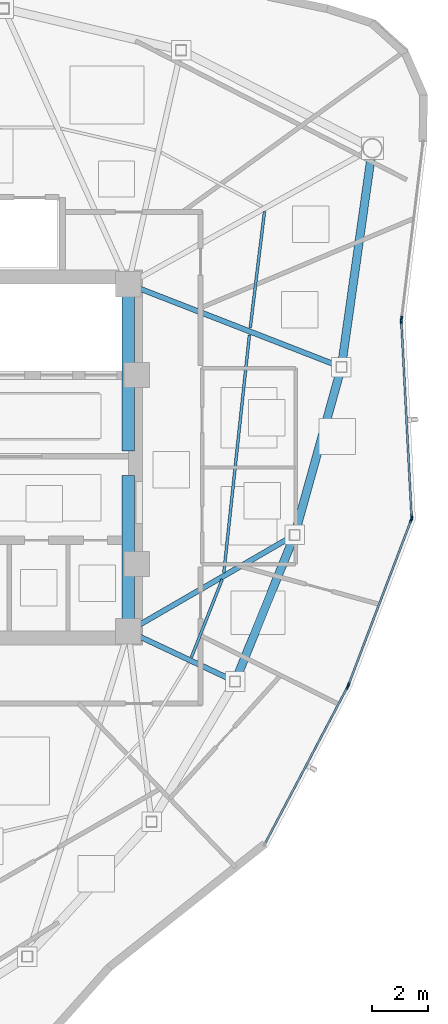
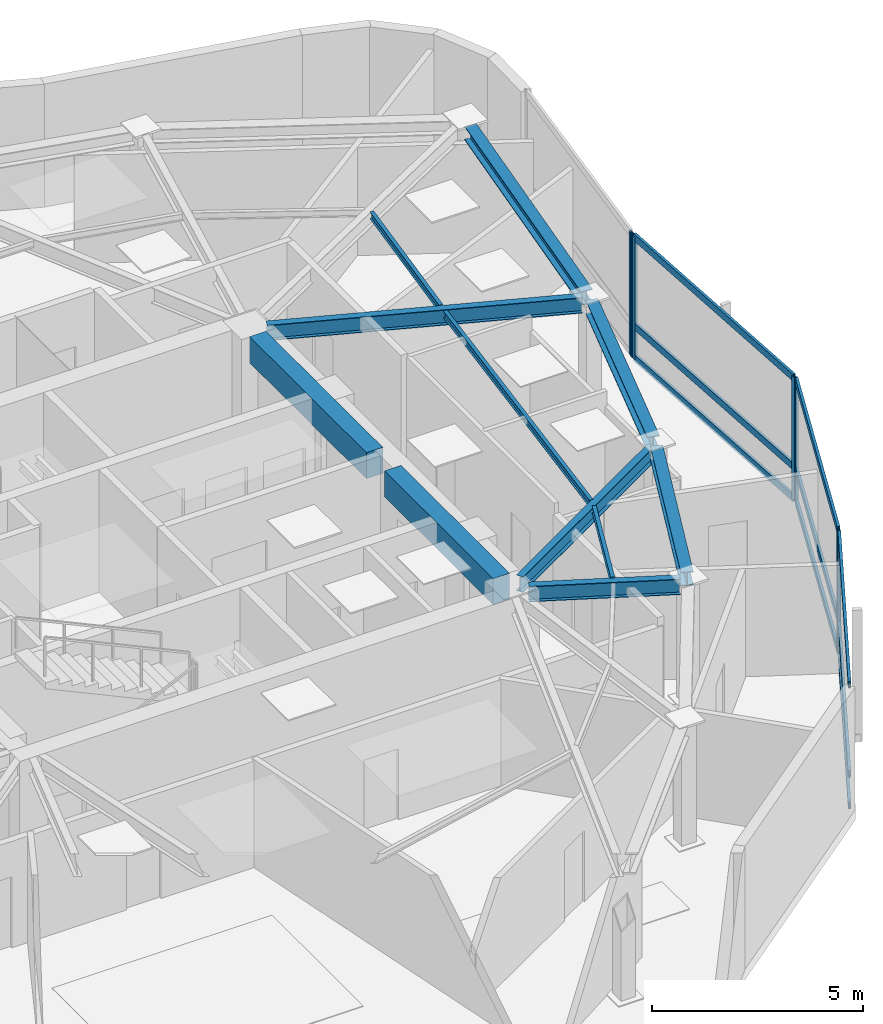
# One storey, part 4 of 12: 15 members, 11 beams, 4 elements without a shape of their own.
"""IFC4 building model written with IfcOpenShell, lengths in metres."""

from ifc_helpers import new_model, si_unit, direction, frame, origin, origin_2d, place, context, subcontext, project, spatial, rectangle, hollow_rectangle, i_section, extrude, source, transform, mapped, material, layer, layer_set, material_profile, profile_set, type_object, type_shapes, element, aggregate, save


model = new_model("IFC4")

# Units and contexts
model_context = context("Model", 3, precision=1e-05, world=origin(), true_north=direction((0.0, 1.0)))
body_context = subcontext(model_context, "Body", "Model", "MODEL_VIEW")
ifc_project = project(units=[si_unit("LENGTHUNIT", "METRE"), si_unit("AREAUNIT", "SQUARE_METRE"), si_unit("VOLUMEUNIT", "CUBIC_METRE"), si_unit("PLANEANGLEUNIT", "RADIAN"), si_unit("MASSUNIT", "GRAM", prefix="KILO")], contexts=[model_context])

# Site, building, storey
site_placement = place(None, origin())
site = spatial("IfcSite", under=ifc_project, at=site_placement, CompositionType="ELEMENT")
building_placement = place(site_placement, origin())
building = spatial("IfcBuilding", under=site, at=building_placement, Name="Tavelor Broadcast Tower", CompositionType="ELEMENT")
storey_placement = place(building_placement, frame((0.0, 0.0, 321.5)))
storey = spatial("IfcBuildingStorey", under=building, at=storey_placement, Name="L77", CompositionType="ELEMENT", Elevation=321.5)

# Beams
ifc_material_1 = material(Name="Concrete C40/50", Category="concrete")
ifc_material_profile_1 = material_profile(ifc_material_1, rectangle(XDim=0.449951171875, YDim=0.75, at=origin_2d()), Name="RC 450x750")
ifc_profile_set_1 = profile_set([ifc_material_profile_1], Name="Concrete C40/50")
beam_type_1 = type_object("IfcBeamType", Name="Basement Core Trim Beam 450x750", PredefinedType="BEAM", material=ifc_profile_set_1)
beam_1_placement = place(storey_placement, frame((56.60009765625, 45.23193359375, 3.175048828125), z_axis=(0.0, 1.0, 0.0), x_axis=(-1.0, 0.0, 0.0)))
element("IfcBeam", 1, at=beam_1_placement, inside=storey, type_object=beam_type_1, Name="L77 Core East-N Tie Girder", PredefinedType="BEAM", context=body_context, shape_type="SweptSolid", body=[
    extrude(rectangle(XDim=0.449951171875, YDim=0.75, at=origin_2d()), origin(), (0.0, 0.0, 1.0), 5.5361328125),
])
beam_2_placement = place(storey_placement, frame((56.60009765625, 39.23193359375, 3.175048828125), z_axis=(0.0, 1.0, 0.0), x_axis=(-1.0, 0.0, 0.0)))
element("IfcBeam", 2, at=beam_2_placement, inside=storey, type_object=beam_type_1, Name="L77 Core East-S Tie Girder", PredefinedType="BEAM", context=body_context, shape_type="SweptSolid", body=[
    extrude(rectangle(XDim=0.449951171875, YDim=0.75, at=origin_2d()), origin(), (0.0, 0.0, 1.0), 5.135986328125),
])
ifc_material_2 = material(Name="Steel S355", Category="steel")
ifc_material_profile_2 = material_profile(ifc_material_2, i_section(OverallWidth=0.10009765625, OverallDepth=0.199951171875, WebThickness=0.005615234375, FlangeThickness=0.008544921875, at=origin_2d()), Name="IPE 200")
ifc_profile_set_2 = profile_set([ifc_material_profile_2], Name="Steel S355")
beam_type_2 = type_object("IfcBeamType", Name="Composite Floor Joist T8 IPE 200", PredefinedType="JOIST", material=ifc_profile_set_2)
beam_3_placement = place(storey_placement, frame((58.85791015625, 37.87451171875, 3.449951171875), z_axis=(0.367159090803, 0.930158159692, 0.0), x_axis=(-0.930158159692, 0.367159090803, 0.0)))
element("IfcBeam", 3, at=beam_3_placement, inside=storey, type_object=beam_type_2, Name="L77 Secondary Composite Floor Joist 10", PredefinedType="JOIST", context=body_context, shape_type="SweptSolid", body=[
    extrude(i_section(OverallWidth=0.10009765625, OverallDepth=0.199951171875, WebThickness=0.005615234375, FlangeThickness=0.008544921875, at=origin_2d()), origin(), (0.0, 0.0, 1.0), 2.98681640625),
])
beam_4_placement = place(storey_placement, frame((60.01318359375, 40.89111328125, 3.449951171875), z_axis=(0.107016283825, 0.994257268013, 0.0), x_axis=(-0.994257268013, 0.107016283825, 0.0)))
element("IfcBeam", 4, at=beam_4_placement, inside=storey, type_object=beam_type_2, Name="L77 Secondary Composite Floor Joist 11", PredefinedType="JOIST", context=body_context, shape_type="SweptSolid", body=[
    extrude(i_section(OverallWidth=0.10009765625, OverallDepth=0.199951171875, WebThickness=0.005615234375, FlangeThickness=0.008544921875, at=origin_2d()), origin(), (0.0, 0.0, 1.0), 8.5458984375),
])
beam_5_placement = place(storey_placement, frame((60.9560546875, 49.6337890625, 3.449951171875), z_axis=(0.121805765002, 0.992553956021, 0.0), x_axis=(-0.992553956021, 0.121805765002, 0.0)))
element("IfcBeam", 5, at=beam_5_placement, inside=storey, type_object=beam_type_2, Name="L77 Secondary Composite Floor Joist 12", PredefinedType="JOIST", context=body_context, shape_type="SweptSolid", body=[
    extrude(i_section(OverallWidth=0.10009765625, OverallDepth=0.199951171875, WebThickness=0.005615234375, FlangeThickness=0.008544921875, at=origin_2d()), origin(), (0.0, 0.0, 1.0), 4.193115234375),
])
ifc_material_profile_3 = material_profile(ifc_material_2, i_section(OverallWidth=0.300048828125, OverallDepth=0.39990234375, WebThickness=0.013427734375, FlangeThickness=0.02392578125, at=origin_2d()), Name="HEB 400")
ifc_profile_set_3 = profile_set([ifc_material_profile_3], Name="Steel S355")
beam_type_3 = type_object("IfcBeamType", Name="Perimeter Spandrel Beam T8 HEB 400", PredefinedType="SPANDREL", material=ifc_profile_set_3)
beam_6_placement = place(storey_placement, frame((60.48974609375, 37.182373046875, 3.35009765625), z_axis=(0.376276339412, 0.926507483186, 0.0), x_axis=(-0.926507483186, 0.376276339412, 0.0)))
element("IfcBeam", 6, at=beam_6_placement, inside=storey, type_object=beam_type_3, Name="L77 Framed-Tube Ring Spandrel 10", PredefinedType="SPANDREL", context=body_context, shape_type="SweptSolid", body=[
    extrude(i_section(OverallWidth=0.300048828125, OverallDepth=0.39990234375, WebThickness=0.013427734375, FlangeThickness=0.02392578125, at=origin_2d()), origin(), (0.0, 0.0, 1.0), 5.267333984375),
])
beam_7_placement = place(storey_placement, frame((62.59521484375, 42.425537109375, 3.35009765625), z_axis=(0.268372403698, 0.963315240684, 0.0), x_axis=(-0.963315240684, 0.268372403698, 0.0)))
element("IfcBeam", 7, at=beam_7_placement, inside=storey, type_object=beam_type_3, Name="L77 Framed-Tube Ring Spandrel 11", PredefinedType="SPANDREL", context=body_context, shape_type="SweptSolid", body=[
    extrude(i_section(OverallWidth=0.300048828125, OverallDepth=0.39990234375, WebThickness=0.013427734375, FlangeThickness=0.02392578125, at=origin_2d()), origin(), (0.0, 0.0, 1.0), 5.84130859375),
])
beam_8_placement = place(storey_placement, frame((64.2412109375, 48.427490234375, 3.35009765625), z_axis=(0.139963539529, 0.990156658111, 0.0), x_axis=(-0.990156658111, 0.139963539529, 0.0)))
element("IfcBeam", 8, at=beam_8_placement, inside=storey, type_object=beam_type_3, Name="L77 Framed-Tube Ring Spandrel 12", PredefinedType="SPANDREL", context=body_context, shape_type="SweptSolid", body=[
    extrude(i_section(OverallWidth=0.300048828125, OverallDepth=0.39990234375, WebThickness=0.013427734375, FlangeThickness=0.02392578125, at=origin_2d()), origin(), (0.0, 0.0, 1.0), 7.36279296875),
])
ifc_material_profile_4 = material_profile(ifc_material_2, i_section(OverallWidth=0.18994140625, OverallDepth=0.449951171875, WebThickness=0.009521484375, FlangeThickness=0.0146484375, at=origin_2d()), Name="IPE 450")
ifc_profile_set_4 = profile_set([ifc_material_profile_4], Name="Steel S355")
beam_type_4 = type_object("IfcBeamType", Name="Radial Floor Girder T8 IPE 450", PredefinedType="BEAM", material=ifc_profile_set_4)
beam_9_placement = place(storey_placement, frame((56.990966796875, 38.6162109375, 3.324951171875), z_axis=(0.904900260626, -0.425623681578, 0.0), x_axis=(0.425623681578, 0.904900260626, 0.0)))
element("IfcBeam", 9, at=beam_9_placement, inside=storey, type_object=beam_type_4, Name="L77 Radial Primary Floor Girder 10", PredefinedType="BEAM", context=body_context, shape_type="SweptSolid", body=[
    extrude(i_section(OverallWidth=0.18994140625, OverallDepth=0.449951171875, WebThickness=0.009521484375, FlangeThickness=0.0146484375, at=origin_2d()), origin(), (0.0, 0.0, 1.0), 3.5947265625),
])
beam_10_placement = place(storey_placement, frame((56.973876953125, 39.016357421875, 3.324951171875), z_axis=(0.865467330789, 0.500965367402, 0.0), x_axis=(-0.500965367402, 0.865467330789, 0.0)))
element("IfcBeam", 10, at=beam_10_placement, inside=storey, type_object=beam_type_4, Name="L77 Radial Primary Floor Girder 11", PredefinedType="BEAM", context=body_context, shape_type="SweptSolid", body=[
    extrude(i_section(OverallWidth=0.18994140625, OverallDepth=0.449951171875, WebThickness=0.009521484375, FlangeThickness=0.0146484375, at=origin_2d()), origin(), (0.0, 0.0, 1.0), 6.243896484375),
])
beam_11_placement = place(storey_placement, frame((57.002685546875, 51.04345703125, 3.324951171875), z_axis=(0.931931795654, -0.362633600552, 0.0), x_axis=(0.362633600552, 0.931931795654, 0.0)))
element("IfcBeam", 11, at=beam_11_placement, inside=storey, type_object=beam_type_4, Name="L77 Radial Primary Floor Girder 12", PredefinedType="BEAM", context=body_context, shape_type="SweptSolid", body=[
    extrude(i_section(OverallWidth=0.18994140625, OverallDepth=0.449951171875, WebThickness=0.009521484375, FlangeThickness=0.0146484375, at=origin_2d()), origin(), (0.0, 0.0, 1.0), 7.54638671875),
])

# Curtain wall, member
ifc_material_3 = material(Name="Architectural Anodized Aluminium", Category="aluminium")
ifc_layer = layer(ifc_material_3, 0.199951171875)
ifc_layer_set = layer_set([ifc_layer], Name="Architectural Anodized Aluminium")
curtain_wall_type = type_object("IfcCurtainWallType", Name="Tower High-Zone Triple-Glazed Curtain Wall CW04", PredefinedType="NOTDEFINED", material=ifc_layer_set)
curtain_wall_1_placement = place(storey_placement, origin())
curtain_wall_1 = element("IfcCurtainWall", 12, at=curtain_wall_1_placement, inside=storey, type_object=curtain_wall_type, Name="L77 Curtain Wall CW04 Run 857", PredefinedType="NOTDEFINED")
ifc_material_profile_5 = material_profile(ifc_material_3, hollow_rectangle(XDim=0.070068359375, YDim=0.199951171875, WallThickness=0.02197265625, at=origin_2d()), Name="RHS 70x200x22")
ifc_profile_set_5 = profile_set([ifc_material_profile_5], Name="Architectural Anodized Aluminium")
member_type_1 = type_object("IfcMemberType", Name="CW04 Extruded Aluminium Mullion 70x200", PredefinedType="MULLION", material=ifc_profile_set_5)
shared_shape_1 = source(origin(), body_context, "Body", "SweptSolid", [
    extrude(hollow_rectangle(XDim=0.070068359375, YDim=0.199951171875, WallThickness=0.02197265625, at=origin_2d()), origin(), (0.0, 0.0, 1.0), 3.550048828125),
])
type_shapes(member_type_1, [shared_shape_1])
member_1_placement = place(storey_placement, frame((64.429443359375, 36.8046875, 0.0), z_axis=(0.0, 0.0, 1.0), x_axis=(-0.884777002433, 0.466014652094, 0.0)))
member_1 = element("IfcMember", 13, at=member_1_placement, type_object=member_type_1, Name="CW04 mullion 2", PredefinedType="MULLION", context=body_context, shape_type="MappedRepresentation", body=[
    mapped(shared_shape_1, transform((0.0, 0.0, 0.0), scale=1.0)),
])

# Curtain wall, members
curtain_wall_2_placement = place(storey_placement, origin())
curtain_wall_2 = element("IfcCurtainWall", 14, at=curtain_wall_2_placement, inside=storey, type_object=curtain_wall_type, Name="L77 Curtain Wall CW04 Run 858", PredefinedType="NOTDEFINED")
member_2_placement = place(storey_placement, frame((64.470458984375, 36.8955078125, 0.0), z_axis=(0.0, 0.0, 1.0), x_axis=(-0.93467611549, 0.355500434785, 0.0)))
member_2 = element("IfcMember", 15, at=member_2_placement, type_object=member_type_1, Name="CW04 mullion 1", PredefinedType="MULLION", context=body_context, shape_type="MappedRepresentation", body=[
    mapped(shared_shape_1, transform((0.0, 0.0, 0.0), scale=1.0)),
])
member_3_placement = place(storey_placement, frame((66.70703125, 42.776123046875, 0.0), z_axis=(0.0, 0.0, 1.0), x_axis=(-0.93467611549, 0.355500434785, 0.0)))
member_3 = element("IfcMember", 16, at=member_3_placement, type_object=member_type_1, Name="CW04 mullion 2", PredefinedType="MULLION", context=body_context, shape_type="MappedRepresentation", body=[
    mapped(shared_shape_1, transform((0.0, 0.0, 0.0), scale=1.0)),
])

curtain_wall_3_placement = place(storey_placement, origin())
curtain_wall_3 = element("IfcCurtainWall", 17, at=curtain_wall_3_placement, inside=storey, type_object=curtain_wall_type, Name="L77 Curtain Wall CW04 Run 859", PredefinedType="NOTDEFINED")
member_4_placement = place(storey_placement, frame((66.72216796875, 42.872802734375, 0.0), z_axis=(0.0, 0.0, 1.0), x_axis=(-0.998630540392, -0.052316764018, 0.0)))
member_4 = element("IfcMember", 18, at=member_4_placement, type_object=member_type_1, Name="CW04 mullion 1", PredefinedType="MULLION", context=body_context, shape_type="MappedRepresentation", body=[
    mapped(shared_shape_1, transform((0.0, 0.0, 0.0), scale=1.0)),
])
member_5_placement = place(storey_placement, frame((66.356201171875, 49.861572265625, 0.0), z_axis=(0.0, 0.0, 1.0), x_axis=(-0.998630540392, -0.052316764018, 0.0)))
member_5 = element("IfcMember", 19, at=member_5_placement, type_object=member_type_1, Name="CW04 mullion 2", PredefinedType="MULLION", context=body_context, shape_type="MappedRepresentation", body=[
    mapped(shared_shape_1, transform((0.0, 0.0, 0.0), scale=1.0)),
])

# Curtain wall, member
curtain_wall_4_placement = place(storey_placement, origin())
curtain_wall_4 = element("IfcCurtainWall", 20, at=curtain_wall_4_placement, inside=storey, type_object=curtain_wall_type, Name="L77 Curtain Wall CW04 Run 860", PredefinedType="NOTDEFINED")
member_6_placement = place(storey_placement, frame((66.359619140625, 49.961181640625, 0.0), z_axis=(0.0, 0.0, 1.0), x_axis=(-0.992709569457, 0.120530953321, 0.0)))
member_6 = element("IfcMember", 21, at=member_6_placement, type_object=member_type_1, Name="CW04 mullion 1", PredefinedType="MULLION", context=body_context, shape_type="MappedRepresentation", body=[
    mapped(shared_shape_1, transform((0.0, 0.0, 0.0), scale=1.0)),
])
aggregate(curtain_wall_4, [member_6])

# Member
ifc_material_profile_6 = material_profile(ifc_material_3, hollow_rectangle(XDim=0.070068359375, YDim=0.199951171875, WallThickness=0.02197265625, at=origin_2d()), Name="RHS 70x200x22")
ifc_profile_set_6 = profile_set([ifc_material_profile_6], Name="Architectural Anodized Aluminium")
member_type_2 = type_object("IfcMemberType", Name="CW04 Extruded Aluminium Transom 70x200", PredefinedType="USERDEFINED", material=ifc_profile_set_6)
shared_shape_2 = source(origin(), body_context, "Body", "SweptSolid", [
    extrude(hollow_rectangle(XDim=0.070068359375, YDim=0.199951171875, WallThickness=0.02197265625, at=origin_2d()), origin(), (0.0, 0.0, 1.0), 6.236328125),
])
member_7_placement = place(storey_placement, frame((61.5068359375, 31.255859375, 0.034912109375), z_axis=(0.466014246321, 0.884777216154, 0.0), x_axis=(-0.884777216154, 0.466014246321, 0.0)))
member_7 = element("IfcMember", 22, at=member_7_placement, type_object=member_type_2, Name="CW04 transom 1.1", ObjectType="TRANSOM", PredefinedType="USERDEFINED", context=body_context, shape_type="MappedRepresentation", body=[
    mapped(shared_shape_2, transform((0.0, 0.0, 0.0), scale=1.0)),
])

member_8_placement = place(storey_placement, frame((61.5068359375, 31.255859375, 0.949951171875), z_axis=(0.466014246321, 0.884777216154, 0.0), x_axis=(-0.884777216154, 0.466014246321, 0.0)))
member_8 = element("IfcMember", 23, at=member_8_placement, type_object=member_type_2, Name="CW04 transom 1.2", ObjectType="TRANSOM", PredefinedType="USERDEFINED", context=body_context, shape_type="MappedRepresentation", body=[
    mapped(shared_shape_2, transform((0.0, 0.0, 0.0), scale=1.0)),
])

member_9_placement = place(storey_placement, frame((61.5068359375, 31.255859375, 3.514892578125), z_axis=(0.466014246321, 0.884777216154, 0.0), x_axis=(-0.884777216154, 0.466014246321, 0.0)))
member_9 = element("IfcMember", 24, at=member_9_placement, type_object=member_type_2, Name="CW04 transom 1.3", ObjectType="TRANSOM", PredefinedType="USERDEFINED", context=body_context, shape_type="MappedRepresentation", body=[
    mapped(shared_shape_2, transform((0.0, 0.0, 0.0), scale=1.0)),
])

aggregate(curtain_wall_1, [member_1, member_7, member_8, member_9])

shared_shape_3 = source(origin(), body_context, "Body", "SweptSolid", [
    extrude(hollow_rectangle(XDim=0.070068359375, YDim=0.199951171875, WallThickness=0.02197265625, at=origin_2d()), origin(), (0.0, 0.0, 1.0), 6.2216796875),
])
member_10_placement = place(storey_placement, frame((64.48291015625, 36.92822265625, 0.034912109375), z_axis=(0.355484519348, 0.93468216871, 0.0), x_axis=(-0.93468216871, 0.355484519348, 0.0)))
member_10 = element("IfcMember", 25, at=member_10_placement, type_object=member_type_2, Name="CW04 transom 1.1", ObjectType="TRANSOM", PredefinedType="USERDEFINED", context=body_context, shape_type="MappedRepresentation", body=[
    mapped(shared_shape_3, transform((0.0, 0.0, 0.0), scale=1.0)),
])

member_11_placement = place(storey_placement, frame((64.48291015625, 36.92822265625, 0.949951171875), z_axis=(0.355484519348, 0.93468216871, 0.0), x_axis=(-0.93468216871, 0.355484519348, 0.0)))
member_11 = element("IfcMember", 26, at=member_11_placement, type_object=member_type_2, Name="CW04 transom 1.2", ObjectType="TRANSOM", PredefinedType="USERDEFINED", context=body_context, shape_type="MappedRepresentation", body=[
    mapped(shared_shape_3, transform((0.0, 0.0, 0.0), scale=1.0)),
])

member_12_placement = place(storey_placement, frame((64.48291015625, 36.92822265625, 3.514892578125), z_axis=(0.355484519348, 0.93468216871, 0.0), x_axis=(-0.93468216871, 0.355484519348, 0.0)))
member_12 = element("IfcMember", 27, at=member_12_placement, type_object=member_type_2, Name="CW04 transom 1.3", ObjectType="TRANSOM", PredefinedType="USERDEFINED", context=body_context, shape_type="MappedRepresentation", body=[
    mapped(shared_shape_3, transform((0.0, 0.0, 0.0), scale=1.0)),
])

aggregate(curtain_wall_2, [member_2, member_3, member_10, member_11, member_12])

shared_shape_4 = source(origin(), body_context, "Body", "SweptSolid", [
    extrude(hollow_rectangle(XDim=0.070068359375, YDim=0.199951171875, WallThickness=0.02197265625, at=origin_2d()), origin(), (0.0, 0.0, 1.0), 6.928466796875),
])
type_shapes(member_type_2, [shared_shape_2, shared_shape_3, shared_shape_4])
member_13_placement = place(storey_placement, frame((66.720458984375, 42.90771484375, 0.034912109375), z_axis=(-0.052327646639, 0.998629970208, 0.0), x_axis=(-0.998629970208, -0.052327646639, 0.0)))
member_13 = element("IfcMember", 28, at=member_13_placement, type_object=member_type_2, Name="CW04 transom 1.1", ObjectType="TRANSOM", PredefinedType="USERDEFINED", context=body_context, shape_type="MappedRepresentation", body=[
    mapped(shared_shape_4, transform((0.0, 0.0, 0.0), scale=1.0)),
])

member_14_placement = place(storey_placement, frame((66.720458984375, 42.90771484375, 0.949951171875), z_axis=(-0.052327646639, 0.998629970208, 0.0), x_axis=(-0.998629970208, -0.052327646639, 0.0)))
member_14 = element("IfcMember", 29, at=member_14_placement, type_object=member_type_2, Name="CW04 transom 1.2", ObjectType="TRANSOM", PredefinedType="USERDEFINED", context=body_context, shape_type="MappedRepresentation", body=[
    mapped(shared_shape_4, transform((0.0, 0.0, 0.0), scale=1.0)),
])

member_15_placement = place(storey_placement, frame((66.720458984375, 42.90771484375, 3.514892578125), z_axis=(-0.052327646639, 0.998629970208, 0.0), x_axis=(-0.998629970208, -0.052327646639, 0.0)))
member_15 = element("IfcMember", 30, at=member_15_placement, type_object=member_type_2, Name="CW04 transom 1.3", ObjectType="TRANSOM", PredefinedType="USERDEFINED", context=body_context, shape_type="MappedRepresentation", body=[
    mapped(shared_shape_4, transform((0.0, 0.0, 0.0), scale=1.0)),
])

aggregate(curtain_wall_3, [member_4, member_5, member_13, member_14, member_15])

save(model, "model.ifc")
